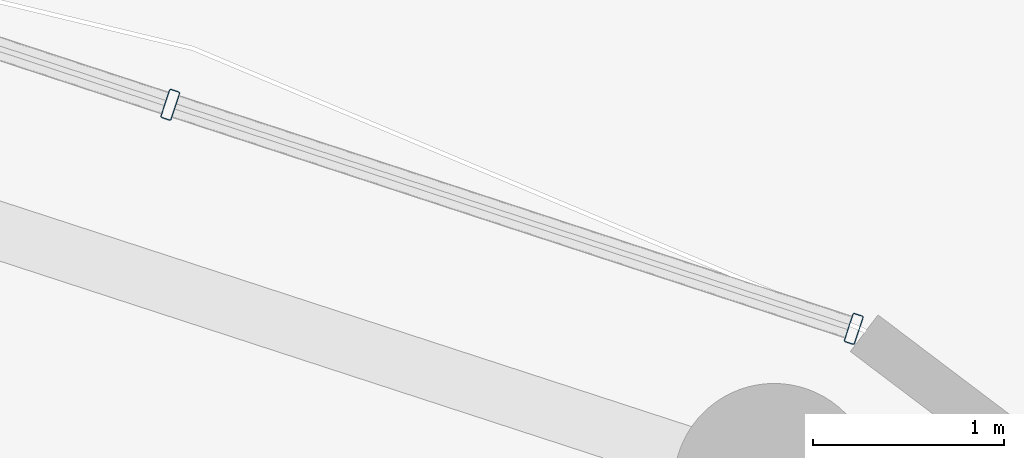
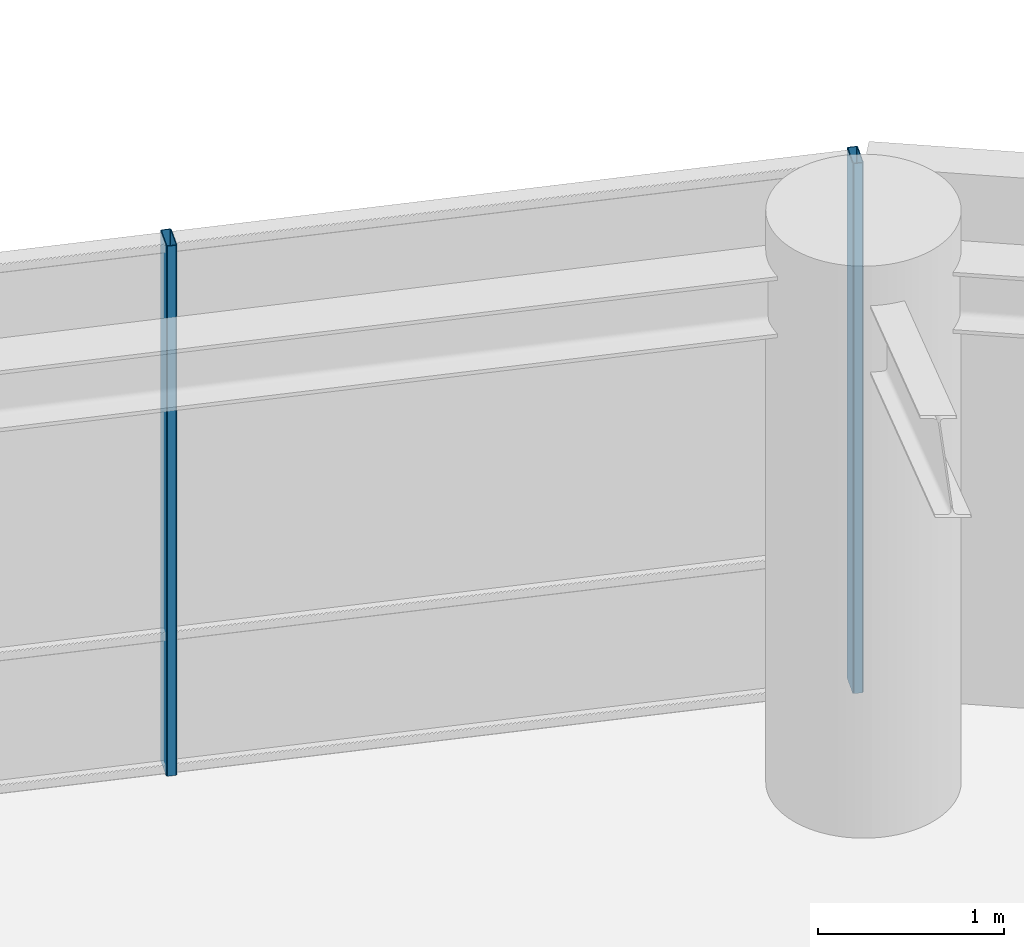
# One storey, part 22 of 31: 2 members, 1 element without a shape of its own.
"""IFC4 building model written with IfcOpenShell, lengths in metres."""

from ifc_helpers import new_model, si_unit, direction, frame, origin, origin_2d, place, context, subcontext, project, spatial, hollow_rectangle, extrude, material, layer, layer_set, material_profile, profile_set, type_object, element, aggregate, save


model = new_model("IFC4")

# Units and contexts
model_context = context("Model", 3, precision=1e-05, world=origin(), true_north=direction((0.0, 1.0)))
body_context = subcontext(model_context, "Body", "Model", "MODEL_VIEW")
ifc_project = project(units=[si_unit("LENGTHUNIT", "METRE"), si_unit("AREAUNIT", "SQUARE_METRE"), si_unit("VOLUMEUNIT", "CUBIC_METRE"), si_unit("PLANEANGLEUNIT", "RADIAN"), si_unit("MASSUNIT", "GRAM", prefix="KILO")], contexts=[model_context])

# Site, building, storey
site_placement = place(None, origin())
site = spatial("IfcSite", under=ifc_project, at=site_placement, CompositionType="ELEMENT")
building_placement = place(site_placement, origin())
building = spatial("IfcBuilding", under=site, at=building_placement, Name="Kelanora Arch Commons", CompositionType="ELEMENT")
storey_placement = place(building_placement, frame((0.0, 0.0, 226.949951171875)))
storey = spatial("IfcBuildingStorey", under=building, at=storey_placement, Name="L58", CompositionType="ELEMENT", Elevation=226.949951171875)

# Curtain wall, members
ifc_material_1 = material(Name="Terracotta ceramic-fritted low-E glass and aluminium", Category="masonry")
ifc_layer = layer(ifc_material_1, 0.175048828125)
ifc_layer_set = layer_set([ifc_layer], Name="Terracotta ceramic-fritted low-E glass and aluminium")
curtain_wall_type = type_object("IfcCurtainWallType", Name="CW-SYS-02", PredefinedType="NOTDEFINED", material=ifc_layer_set)
curtain_wall_placement = place(storey_placement, origin())
curtain_wall = element("IfcCurtainWall", 1, at=curtain_wall_placement, inside=storey, type_object=curtain_wall_type, Name="Unitised Curtain Wall L58-B03", PredefinedType="NOTDEFINED")
ifc_material_2 = material(Name="Powder-coated aluminium terracotta", Category="masonry")
ifc_material_profile = material_profile(ifc_material_2, hollow_rectangle(XDim=0.159912109375, YDim=0.06005859375, WallThickness=0.0048828125, InnerFilletRadius=0.0048828125, OuterFilletRadius=0.010009765625, at=origin_2d()), Name="CWM160x60")
ifc_profile_set = profile_set([ifc_material_profile], Name="Powder-coated aluminium terracotta")
member_type = type_object("IfcMemberType", Name="CWM-STD", PredefinedType="MULLION", material=ifc_profile_set)
member_1_placement = place(storey_placement, frame((85.05712890625, 75.33447265625, 0.0), z_axis=(0.0, 0.0, 1.0), x_axis=(-0.311582439059, -0.950219124029, 0.0)))
member_1 = element("IfcMember", 2, at=member_1_placement, type_object=member_type, Name="CW-02 mullion 1", PredefinedType="MULLION", context=body_context, shape_type="SweptSolid", body=[
    extrude(hollow_rectangle(XDim=0.159912109375, YDim=0.06005859375, WallThickness=0.0048828125, InnerFilletRadius=0.0048828125, OuterFilletRadius=0.010009765625, at=origin_2d()), origin(), (0.0, 0.0, 1.0), 3.47509765625),
])
member_2_placement = place(storey_placement, frame((81.4775390625, 76.50830078125, 0.0), z_axis=(0.0, 0.0, 1.0), x_axis=(-0.311582439059, -0.950219124029, 0.0)))
member_2 = element("IfcMember", 3, at=member_2_placement, type_object=member_type, Name="CW-02 mullion 2", PredefinedType="MULLION", context=body_context, shape_type="SweptSolid", body=[
    extrude(hollow_rectangle(XDim=0.159912109375, YDim=0.06005859375, WallThickness=0.0048828125, InnerFilletRadius=0.0048828125, OuterFilletRadius=0.010009765625, at=origin_2d()), origin(), (0.0, 0.0, 1.0), 3.47509765625),
])
aggregate(curtain_wall, [member_1, member_2])

save(model, "model.ifc")
